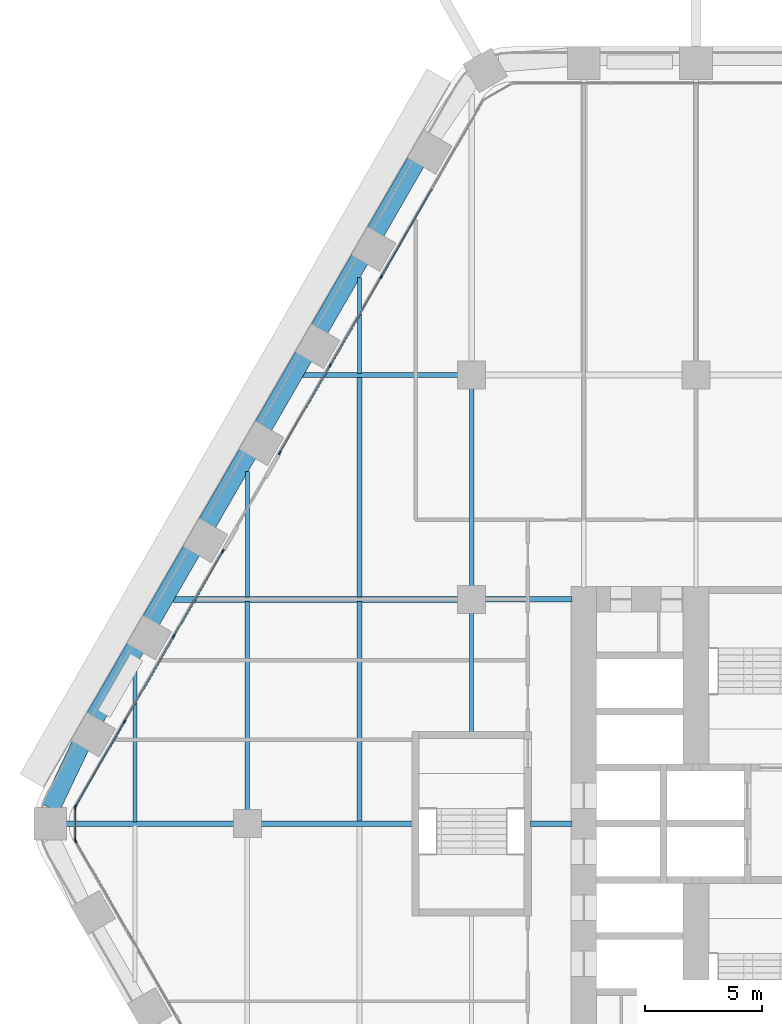
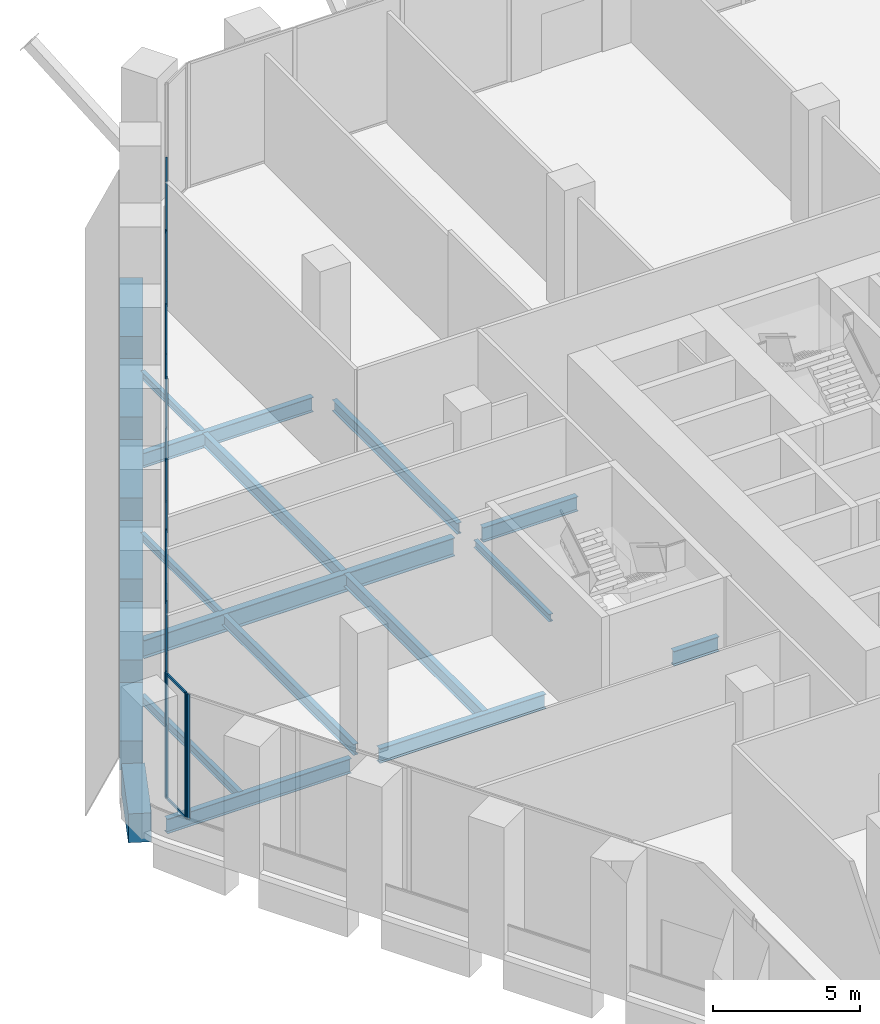
# One storey, part 7 of 29: 24 members, 21 beams, 4 elements without a shape of their own.
"""IFC4 building model written with IfcOpenShell, lengths in metres."""

from ifc_helpers import new_model, si_unit, direction, frame, origin, origin_2d, place, context, subcontext, project, spatial, rectangle, i_section, extrude, material, material_profile, profile_set, type_object, element, aggregate, save


model = new_model("IFC4")

# Units and contexts
model_context = context("Model", 3, precision=1e-05, world=origin(), true_north=direction((0.0, 1.0)))
body_context = subcontext(model_context, "Body", "Model", "MODEL_VIEW")
ifc_project = project(units=[si_unit("LENGTHUNIT", "METRE"), si_unit("AREAUNIT", "SQUARE_METRE"), si_unit("VOLUMEUNIT", "CUBIC_METRE"), si_unit("PLANEANGLEUNIT", "RADIAN"), si_unit("MASSUNIT", "GRAM", prefix="KILO")], contexts=[model_context])

# Site, building, storey
site_placement = place(None, origin())
site = spatial("IfcSite", under=ifc_project, at=site_placement, CompositionType="ELEMENT")
building_placement = place(site_placement, origin())
building = spatial("IfcBuilding", under=site, at=building_placement, Name="Kolab Exchange Tower", CompositionType="ELEMENT")
storey_placement = place(building_placement, frame((0.0, 0.0, 33.39990234375)))
storey = spatial("IfcBuildingStorey", under=building, at=storey_placement, Name="L06", CompositionType="ELEMENT", Elevation=33.39990234375)

# Beams
ifc_material_1 = material(Name="Steel S355", Category="steel")
ifc_material_profile_1 = material_profile(ifc_material_1, i_section(OverallWidth=0.1650390625, OverallDepth=0.31005859375, WebThickness=0.005859375, FlangeThickness=0.009765625, at=origin_2d()), Name="W310X39")
ifc_profile_set_1 = profile_set([ifc_material_profile_1], Name="Steel S355")
beam_type_1 = type_object("IfcBeamType", Name="FLOOR BEAM W310X39", PredefinedType="BEAM", material=ifc_profile_set_1)
beam_1_placement = place(storey_placement, frame((-28.800048828125, 9.693603515625, -0.40478515625), z_axis=(0.0, 1.0, 0.0), x_axis=(-1.0, 0.0, 0.0)))
element("IfcBeam", 1, at=beam_1_placement, inside=storey, type_object=beam_type_1, Name="beam/L06/fr/005", PredefinedType="BEAM", context=body_context, shape_type="SweptSolid", body=[
    extrude(i_section(OverallWidth=0.1650390625, OverallDepth=0.31005859375, WebThickness=0.005859375, FlangeThickness=0.009765625, at=origin_2d()), origin(), (0.0, 0.0, 1.0), 5.3740234375),
])
beam_2_placement = place(storey_placement, frame((-24.0, 19.27392578125, -0.40478515625), z_axis=(0.0, 1.0, 0.0), x_axis=(-1.0, 0.0, 0.0)))
element("IfcBeam", 2, at=beam_2_placement, inside=storey, type_object=beam_type_1, Name="beam/L06/fr/011", PredefinedType="BEAM", context=body_context, shape_type="SweptSolid", body=[
    extrude(i_section(OverallWidth=0.1650390625, OverallDepth=0.31005859375, WebThickness=0.005859375, FlangeThickness=0.009765625, at=origin_2d()), origin(), (0.0, 0.0, 1.0), 4.107666015625),
])
beam_3_placement = place(storey_placement, frame((-19.199951171875, 3.909912109375, -0.40478515625), z_axis=(0.0, 1.0, 0.0), x_axis=(-1.0, 0.0, 0.0)))
element("IfcBeam", 3, at=beam_3_placement, inside=storey, type_object=beam_type_1, Name="beam/L06/fr/015", PredefinedType="BEAM", context=body_context, shape_type="SweptSolid", body=[
    extrude(i_section(OverallWidth=0.1650390625, OverallDepth=0.31005859375, WebThickness=0.005859375, FlangeThickness=0.009765625, at=origin_2d()), origin(), (0.0, 0.0, 1.0), 5.130126953125),
])
ifc_material_profile_2 = material_profile(ifc_material_1, i_section(OverallWidth=0.1708984375, OverallDepth=0.35498046875, WebThickness=0.007080078125, FlangeThickness=0.01171875, at=origin_2d()), Name="W360X51")
ifc_profile_set_2 = profile_set([ifc_material_profile_2], Name="Steel S355")
beam_type_2 = type_object("IfcBeamType", Name="FLOOR BEAM W360X51", PredefinedType="BEAM", material=ifc_profile_set_2)
beam_4_placement = place(storey_placement, frame((-33.60009765625, 0.073974609375, -0.427490234375), z_axis=(0.0, 1.0, 0.0), x_axis=(-1.0, 0.0, 0.0)))
element("IfcBeam", 4, at=beam_4_placement, inside=storey, type_object=beam_type_2, Name="beam/L06/fr/001", PredefinedType="BEAM", context=body_context, shape_type="SweptSolid", body=[
    extrude(i_section(OverallWidth=0.1708984375, OverallDepth=0.35498046875, WebThickness=0.007080078125, FlangeThickness=0.01171875, at=origin_2d()), origin(), (0.0, 0.0, 1.0), 6.679931640625),
])
ifc_material_profile_3 = material_profile(ifc_material_1, i_section(OverallWidth=0.18994140625, OverallDepth=0.45703125, WebThickness=0.009033203125, FlangeThickness=0.014404296875, at=origin_2d()), Name="W460X74")
ifc_profile_set_3 = profile_set([ifc_material_profile_3], Name="Steel S355")
beam_type_3 = type_object("IfcBeamType", Name="FLOOR BEAM W460X74", PredefinedType="BEAM", material=ifc_profile_set_3)
beam_5_placement = place(storey_placement, frame((-28.800048828125, 0.56005859375, -0.478515625), z_axis=(0.0, 1.0, 0.0), x_axis=(-1.0, 0.0, 0.0)))
element("IfcBeam", 5, at=beam_5_placement, inside=storey, type_object=beam_type_3, Name="beam/L06/fr/004", PredefinedType="BEAM", context=body_context, shape_type="SweptSolid", body=[
    extrude(i_section(OverallWidth=0.18994140625, OverallDepth=0.45703125, WebThickness=0.009033203125, FlangeThickness=0.014404296875, at=origin_2d()), origin(), (0.0, 0.0, 1.0), 8.946533203125),
])
beam_6_placement = place(storey_placement, frame((-19.199951171875, 10.159912109375, -0.478515625), z_axis=(0.0, 1.0, 0.0), x_axis=(-1.0, 0.0, 0.0)))
element("IfcBeam", 6, at=beam_6_placement, inside=storey, type_object=beam_type_3, Name="beam/L06/fr/016", PredefinedType="BEAM", context=body_context, shape_type="SweptSolid", body=[
    extrude(i_section(OverallWidth=0.18994140625, OverallDepth=0.45703125, WebThickness=0.009033203125, FlangeThickness=0.014404296875, at=origin_2d()), origin(), (0.0, 0.0, 1.0), 8.47998046875),
])
ifc_material_profile_4 = material_profile(ifc_material_1, i_section(OverallWidth=0.208984375, OverallDepth=0.532958984375, WebThickness=0.01025390625, FlangeThickness=0.015625, at=origin_2d()), Name="W530X92")
ifc_profile_set_4 = profile_set([ifc_material_profile_4], Name="Steel S355")
beam_type_4 = type_object("IfcBeamType", Name="FLOOR BEAM W530X92", PredefinedType="BEAM", material=ifc_profile_set_4)
beam_7_placement = place(storey_placement, frame((-24.0, 0.073974609375, -0.516357421875), z_axis=(0.0, 1.0, 0.0), x_axis=(-1.0, 0.0, 0.0)))
element("IfcBeam", 7, at=beam_7_placement, inside=storey, type_object=beam_type_4, Name="beam/L06/fr/009", PredefinedType="BEAM", context=body_context, shape_type="SweptSolid", body=[
    extrude(i_section(OverallWidth=0.208984375, OverallDepth=0.532958984375, WebThickness=0.01025390625, FlangeThickness=0.015625, at=origin_2d()), origin(), (0.0, 0.0, 1.0), 9.4326171875),
])
beam_8_placement = place(storey_placement, frame((-24.0, 9.693603515625, -0.516357421875), z_axis=(0.0, 1.0, 0.0), x_axis=(-1.0, 0.0, 0.0)))
element("IfcBeam", 8, at=beam_8_placement, inside=storey, type_object=beam_type_4, Name="beam/L06/fr/010", PredefinedType="BEAM", context=body_context, shape_type="SweptSolid", body=[
    extrude(i_section(OverallWidth=0.208984375, OverallDepth=0.532958984375, WebThickness=0.01025390625, FlangeThickness=0.015625, at=origin_2d()), origin(), (0.0, 0.0, 1.0), 9.432373046875),
])
ifc_material_profile_5 = material_profile(ifc_material_1, i_section(OverallWidth=0.22802734375, OverallDepth=0.60791015625, WebThickness=0.01123046875, FlangeThickness=0.017333984375, at=origin_2d()), Name="W610X113")
ifc_profile_set_5 = profile_set([ifc_material_profile_5], Name="Steel S355")
beam_type_5 = type_object("IfcBeamType", Name="FLOOR GIRDER W610X113", PredefinedType="BEAM", material=ifc_profile_set_5)
beam_9_placement = place(storey_placement, frame((-36.575927734375, 0.0, -0.553955078125), z_axis=(1.0, 0.0, 0.0), x_axis=(0.0, 1.0, 0.0)))
element("IfcBeam", 9, at=beam_9_placement, inside=storey, type_object=beam_type_5, Name="beam/L06/gd/000", PredefinedType="BEAM", context=body_context, shape_type="SweptSolid", body=[
    extrude(i_section(OverallWidth=0.22802734375, OverallDepth=0.60791015625, WebThickness=0.01123046875, FlangeThickness=0.017333984375, at=origin_2d()), origin(), (0.0, 0.0, 1.0), 7.2158203125),
])
beam_10_placement = place(storey_placement, frame((-28.239990234375, 0.0, -0.553955078125), z_axis=(1.0, 0.0, 0.0), x_axis=(0.0, 1.0, 0.0)))
element("IfcBeam", 10, at=beam_10_placement, inside=storey, type_object=beam_type_5, Name="beam/L06/gd/003", PredefinedType="BEAM", context=body_context, shape_type="SweptSolid", body=[
    extrude(i_section(OverallWidth=0.22802734375, OverallDepth=0.60791015625, WebThickness=0.01123046875, FlangeThickness=0.017333984375, at=origin_2d()), origin(), (0.0, 0.0, 1.0), 6.530029296875),
])
beam_11_placement = place(storey_placement, frame((-26.43115234375, 19.199951171875, -0.553955078125), z_axis=(1.0, 0.0, 0.0), x_axis=(0.0, 1.0, 0.0)))
element("IfcBeam", 11, at=beam_11_placement, inside=storey, type_object=beam_type_5, Name="beam/L06/gd/005", PredefinedType="BEAM", context=body_context, shape_type="SweptSolid", body=[
    extrude(i_section(OverallWidth=0.22802734375, OverallDepth=0.60791015625, WebThickness=0.01123046875, FlangeThickness=0.017333984375, at=origin_2d()), origin(), (0.0, 0.0, 1.0), 6.671142578125),
])
beam_12_placement = place(storey_placement, frame((-18.639892578125, 9.60009765625, -0.553955078125), z_axis=(1.0, 0.0, 0.0), x_axis=(0.0, 1.0, 0.0)))
element("IfcBeam", 12, at=beam_12_placement, inside=storey, type_object=beam_type_5, Name="beam/L06/gd/008", PredefinedType="BEAM", context=body_context, shape_type="SweptSolid", body=[
    extrude(i_section(OverallWidth=0.22802734375, OverallDepth=0.60791015625, WebThickness=0.01123046875, FlangeThickness=0.017333984375, at=origin_2d()), origin(), (0.0, 0.0, 1.0), 3.72998046875),
])
beam_13_placement = place(storey_placement, frame((-16.68994140625, 0.0, -0.553955078125), z_axis=(1.0, 0.0, 0.0), x_axis=(0.0, 1.0, 0.0)))
element("IfcBeam", 13, at=beam_13_placement, inside=storey, type_object=beam_type_5, Name="beam/L06/gd/010", PredefinedType="BEAM", context=body_context, shape_type="SweptSolid", body=[
    extrude(i_section(OverallWidth=0.22802734375, OverallDepth=0.60791015625, WebThickness=0.01123046875, FlangeThickness=0.017333984375, at=origin_2d()), origin(), (0.0, 0.0, 1.0), 1.780029296875),
])
ifc_material_profile_6 = material_profile(ifc_material_1, i_section(OverallWidth=0.26708984375, OverallDepth=0.761962890625, WebThickness=0.014404296875, FlangeThickness=0.021484375, at=origin_2d()), Name="W760X173")
ifc_profile_set_6 = profile_set([ifc_material_profile_6], Name="Steel S355")
beam_type_6 = type_object("IfcBeamType", Name="FLOOR GIRDER W760X173", PredefinedType="BEAM", material=ifc_profile_set_6)
beam_14_placement = place(storey_placement, frame((-31.9736328125, 9.60009765625, -0.630859375), z_axis=(1.0, 0.0, 0.0), x_axis=(0.0, 1.0, 0.0)))
element("IfcBeam", 14, at=beam_14_placement, inside=storey, type_object=beam_type_6, Name="beam/L06/gd/002", PredefinedType="BEAM", context=body_context, shape_type="SweptSolid", body=[
    extrude(i_section(OverallWidth=0.26708984375, OverallDepth=0.761962890625, WebThickness=0.014404296875, FlangeThickness=0.021484375, at=origin_2d()), origin(), (0.0, 0.0, 1.0), 12.213623046875),
])
ifc_material_2 = material(Name="Concrete C80/95", Category="concrete")
ifc_material_profile_7 = material_profile(ifc_material_2, rectangle(XDim=0.800048828125, YDim=1.199951171875, at=origin_2d()), Name="RC800X1200")
ifc_profile_set_7 = profile_set([ifc_material_profile_7], Name="Concrete C80/95")
beam_type_7 = type_object("IfcBeamType", Name="SPANDREL BEAM 800X1200 C80/95", PredefinedType="BEAM", material=ifc_profile_set_7)
beam_15_placement = place(storey_placement, frame((-37.219970703125, 0.663818359375, -0.849853515625), z_axis=(0.429555669245, 0.903040379507, 0.0), x_axis=(-0.903040379507, 0.429555669245, 0.0)))
element("IfcBeam", 15, at=beam_15_placement, inside=storey, type_object=beam_type_7, Name="beam/L06/sp/F6-01", PredefinedType="BEAM", context=body_context, shape_type="SweptSolid", body=[
    extrude(rectangle(XDim=0.800048828125, YDim=1.199951171875, at=origin_2d()), origin(), (0.0, 0.0, 1.0), 2.984375),
])
beam_16_placement = place(storey_placement, frame((-35.323486328125, 4.528564453125, -0.849853515625), z_axis=(0.500009906705, 0.86601968407, 0.0), x_axis=(-0.86601968407, 0.500009906705, 0.0)))
element("IfcBeam", 16, at=beam_16_placement, inside=storey, type_object=beam_type_7, Name="beam/L06/sp/F6-02", PredefinedType="BEAM", context=body_context, shape_type="SweptSolid", body=[
    extrude(rectangle(XDim=0.800048828125, YDim=1.199951171875, at=origin_2d()), origin(), (0.0, 0.0, 1.0), 3.47998046875),
])
for number, where, z_axis, x_axis, name in (
    (17, (-32.923583984375, 8.685302734375, -0.849853515625), (0.499979528911, 0.866037222451, 0.0), (-0.866037222451, 0.499979528911, 0.0), "beam/L06/sp/F6-03"),
    (18, (-30.523681640625, 12.84228515625, -0.849853515625), (0.499979528911, 0.866037222451, 0.0), (-0.866037222451, 0.499979528911, 0.0), "beam/L06/sp/F6-04"),
):
    element("IfcBeam", number, at=place(storey_placement, frame(where, z_axis=z_axis, x_axis=x_axis)), inside=storey, type_object=beam_type_7, Name=name, PredefinedType="BEAM", context=body_context, shape_type="SweptSolid", body=[
        extrude(rectangle(XDim=0.800048828125, YDim=1.199951171875, at=origin_2d()), origin(), (0.0, 0.0, 1.0), 3.480224609375),
    ])
for number, where, z_axis, x_axis, name in (
    (19, (-28.12353515625, 16.999267578125, -0.849853515625), (0.500009906705, 0.86601968407, 0.0), (-0.86601968407, 0.500009906705, 0.0), "beam/L06/sp/F6-05"),
    (20, (-25.7236328125, 21.15625, -0.849853515625), (0.500009906705, 0.86601968407, 0.0), (-0.86601968407, 0.500009906705, 0.0), "beam/L06/sp/F6-06"),
):
    element("IfcBeam", number, at=place(storey_placement, frame(where, z_axis=z_axis, x_axis=x_axis)), inside=storey, type_object=beam_type_7, Name=name, PredefinedType="BEAM", context=body_context, shape_type="SweptSolid", body=[
        extrude(rectangle(XDim=0.800048828125, YDim=1.199951171875, at=origin_2d()), origin(), (0.0, 0.0, 1.0), 3.47998046875),
    ])
beam_17_placement = place(storey_placement, frame((-23.323486328125, 25.31298828125, -0.849853515625), z_axis=(0.499979528911, 0.866037222451, 0.0), x_axis=(-0.866037222451, 0.499979528911, 0.0)))
element("IfcBeam", 21, at=beam_17_placement, inside=storey, type_object=beam_type_7, Name="beam/L06/sp/F6-07", PredefinedType="BEAM", context=body_context, shape_type="SweptSolid", body=[
    extrude(rectangle(XDim=0.800048828125, YDim=1.199951171875, at=origin_2d()), origin(), (0.0, 0.0, 1.0), 3.480224609375),
])

# Curtain wall, member
ifc_material_3 = material(Name="Aluminium EN AW-6063 T6", Category="aluminium")
curtain_wall_type = type_object("IfcCurtainWallType", Name="UNITISED LOW ZONE CURTAIN WALL", PredefinedType="NOTDEFINED", material=ifc_material_3)
curtain_wall_1_placement = place(storey_placement, origin())
curtain_wall_1 = element("IfcCurtainWall", 22, at=curtain_wall_1_placement, inside=storey, type_object=curtain_wall_type, Name="cw/L06/F5-2", PredefinedType="NOTDEFINED")
ifc_material_profile_8 = material_profile(ifc_material_3, rectangle(XDim=0.06005859375, YDim=0.159912109375, at=origin_2d()), Name="RECT 60X160")
ifc_profile_set_8 = profile_set([ifc_material_profile_8], Name="Aluminium EN AW-6063 T6")
member_type_1 = type_object("IfcMemberType", Name="UNITISED LOW ZONE MULLION 60 X 160", PredefinedType="MULLION", material=ifc_profile_set_8)
member_1_placement = place(storey_placement, frame((-36.150634765625, -0.736083984375, 0.0), z_axis=(0.0, 0.0, 1.0), x_axis=(-0.866025422102, -0.499999968274, 0.0)))
member_1 = element("IfcMember", 23, at=member_1_placement, type_object=member_type_1, Name="CW1 mullion 5", PredefinedType="MULLION", context=body_context, shape_type="SweptSolid", body=[
    extrude(rectangle(XDim=0.06005859375, YDim=0.159912109375, at=origin_2d()), origin(), (0.0, 0.0, 1.0), 5.2001953125),
])
aggregate(curtain_wall_1, [member_1])

# Curtain wall, members
curtain_wall_2_placement = place(storey_placement, origin())
curtain_wall_2 = element("IfcCurtainWall", 24, at=curtain_wall_2_placement, inside=storey, type_object=curtain_wall_type, Name="cw/L06/F6-1", PredefinedType="NOTDEFINED")
member_2_placement = place(storey_placement, frame((-36.150634765625, 0.736083984375, 0.0), z_axis=(0.0, 0.0, 1.0), x_axis=(-0.866025427826, 0.499999958358, 0.0)))
member_2 = element("IfcMember", 25, at=member_2_placement, type_object=member_type_1, Name="CW1 mullion 1", PredefinedType="MULLION", context=body_context, shape_type="SweptSolid", body=[
    extrude(rectangle(XDim=0.06005859375, YDim=0.159912109375, at=origin_2d()), origin(), (0.0, 0.0, 1.0), 5.2001953125),
])
member_3_placement = place(storey_placement, frame((-34.054443359375, 4.366943359375, 0.0), z_axis=(0.0, 0.0, 1.0), x_axis=(-0.866025427826, 0.499999958358, 0.0)))
member_3 = element("IfcMember", 26, at=member_3_placement, type_object=member_type_1, Name="CW1 mullion 2", PredefinedType="MULLION", context=body_context, shape_type="SweptSolid", body=[
    extrude(rectangle(XDim=0.06005859375, YDim=0.159912109375, at=origin_2d()), origin(), (0.0, 0.0, 1.0), 5.2001953125),
])
member_4_placement = place(storey_placement, frame((-31.943115234375, 8.02392578125, 0.0), z_axis=(0.0, 0.0, 1.0), x_axis=(-0.866025427826, 0.499999958358, 0.0)))
member_4 = element("IfcMember", 27, at=member_4_placement, type_object=member_type_1, Name="CW1 mullion 3", PredefinedType="MULLION", context=body_context, shape_type="SweptSolid", body=[
    extrude(rectangle(XDim=0.06005859375, YDim=0.159912109375, at=origin_2d()), origin(), (0.0, 0.0, 1.0), 5.2001953125),
])
member_5_placement = place(storey_placement, frame((-29.8466796875, 11.65478515625, 0.0), z_axis=(0.0, 0.0, 1.0), x_axis=(-0.866025427826, 0.499999958358, 0.0)))
member_5 = element("IfcMember", 28, at=member_5_placement, type_object=member_type_1, Name="CW1 mullion 4", PredefinedType="MULLION", context=body_context, shape_type="SweptSolid", body=[
    extrude(rectangle(XDim=0.06005859375, YDim=0.159912109375, at=origin_2d()), origin(), (0.0, 0.0, 1.0), 5.2001953125),
])

curtain_wall_3_placement = place(storey_placement, origin())
curtain_wall_3 = element("IfcCurtainWall", 29, at=curtain_wall_3_placement, inside=storey, type_object=curtain_wall_type, Name="cw/L06/F6-2", PredefinedType="NOTDEFINED")
member_6_placement = place(storey_placement, frame((-27.416748046875, 15.86376953125, 0.0), z_axis=(0.0, 0.0, 1.0), x_axis=(-0.866025397318, 0.5000000112, 0.0)))
member_6 = element("IfcMember", 30, at=member_6_placement, type_object=member_type_1, Name="CW1 mullion 1", PredefinedType="MULLION", context=body_context, shape_type="SweptSolid", body=[
    extrude(rectangle(XDim=0.06005859375, YDim=0.159912109375, at=origin_2d()), origin(), (0.0, 0.0, 1.0), 5.2001953125),
])
member_7_placement = place(storey_placement, frame((-25.248291015625, 19.61962890625, 0.0), z_axis=(0.0, 0.0, 1.0), x_axis=(-0.866025397318, 0.5000000112, 0.0)))
member_7 = element("IfcMember", 31, at=member_7_placement, type_object=member_type_1, Name="CW1 mullion 2", PredefinedType="MULLION", context=body_context, shape_type="SweptSolid", body=[
    extrude(rectangle(XDim=0.06005859375, YDim=0.159912109375, at=origin_2d()), origin(), (0.0, 0.0, 1.0), 5.2001953125),
])
member_8_placement = place(storey_placement, frame((-23.064697265625, 23.401611328125, 0.0), z_axis=(0.0, 0.0, 1.0), x_axis=(-0.866025397318, 0.5000000112, 0.0)))
member_8 = element("IfcMember", 32, at=member_8_placement, type_object=member_type_1, Name="CW1 mullion 3", PredefinedType="MULLION", context=body_context, shape_type="SweptSolid", body=[
    extrude(rectangle(XDim=0.06005859375, YDim=0.159912109375, at=origin_2d()), origin(), (0.0, 0.0, 1.0), 5.2001953125),
])

curtain_wall_4_placement = place(storey_placement, origin())
curtain_wall_4 = element("IfcCurtainWall", 33, at=curtain_wall_4_placement, inside=storey, type_object=curtain_wall_type, Name="cw/L06/F5F6-corner", PredefinedType="NOTDEFINED")
member_9_placement = place(storey_placement, frame((-36.165771484375, -0.679931640625, 0.0), z_axis=(0.0, 0.0, 1.0), x_axis=(-1.0, 0.0, 0.0)))
member_9 = element("IfcMember", 34, at=member_9_placement, type_object=member_type_1, Name="CW1 mullion 1", PredefinedType="MULLION", context=body_context, shape_type="SweptSolid", body=[
    extrude(rectangle(XDim=0.06005859375, YDim=0.159912109375, at=origin_2d()), origin(), (0.0, 0.0, 1.0), 5.2001953125),
])
member_10_placement = place(storey_placement, frame((-36.165771484375, 0.679931640625, 0.0), z_axis=(0.0, 0.0, 1.0), x_axis=(-1.0, 0.0, 0.0)))
member_10 = element("IfcMember", 35, at=member_10_placement, type_object=member_type_1, Name="CW1 mullion 2", PredefinedType="MULLION", context=body_context, shape_type="SweptSolid", body=[
    extrude(rectangle(XDim=0.06005859375, YDim=0.159912109375, at=origin_2d()), origin(), (0.0, 0.0, 1.0), 5.2001953125),
])

# Member
ifc_material_profile_9 = material_profile(ifc_material_3, rectangle(XDim=0.06005859375, YDim=0.10009765625, at=origin_2d()), Name="RECT 60X100")
ifc_profile_set_9 = profile_set([ifc_material_profile_9], Name="Aluminium EN AW-6063 T6")
member_type_2 = type_object("IfcMemberType", Name="UNITISED LOW ZONE TRANSOM 60 X 100", PredefinedType="USERDEFINED", material=ifc_profile_set_9)
member_11_placement = place(storey_placement, frame((-36.1357421875, 0.761962890625, 0.030029296875), z_axis=(0.500027577057, 0.866009481578, 0.0), x_axis=(-0.866009481578, 0.500027577057, 0.0)))
member_11 = element("IfcMember", 36, at=member_11_placement, type_object=member_type_2, Name="CW1 transom 1.1", ObjectType="TRANSOM", PredefinedType="USERDEFINED", context=body_context, shape_type="SweptSolid", body=[
    extrude(rectangle(XDim=0.06005859375, YDim=0.10009765625, at=origin_2d()), origin(), (0.0, 0.0, 1.0), 4.132568359375),
])

member_12_placement = place(storey_placement, frame((-36.1357421875, 0.761962890625, 5.170166015625), z_axis=(0.500027577057, 0.866009481578, 0.0), x_axis=(-0.866009481578, 0.500027577057, 0.0)))
member_12 = element("IfcMember", 37, at=member_12_placement, type_object=member_type_2, Name="CW1 transom 1.2", ObjectType="TRANSOM", PredefinedType="USERDEFINED", context=body_context, shape_type="SweptSolid", body=[
    extrude(rectangle(XDim=0.06005859375, YDim=0.10009765625, at=origin_2d()), origin(), (0.0, 0.0, 1.0), 4.132568359375),
])

member_13_placement = place(storey_placement, frame((-34.039306640625, 4.392822265625, 0.030029296875), z_axis=(0.49999322259, 0.866029316688, 0.0), x_axis=(-0.866029316688, 0.49999322259, 0.0)))
member_13 = element("IfcMember", 38, at=member_13_placement, type_object=member_type_2, Name="CW1 transom 2.1", ObjectType="TRANSOM", PredefinedType="USERDEFINED", context=body_context, shape_type="SweptSolid", body=[
    extrude(rectangle(XDim=0.06005859375, YDim=0.10009765625, at=origin_2d()), origin(), (0.0, 0.0, 1.0), 4.16259765625),
])

member_14_placement = place(storey_placement, frame((-34.039306640625, 4.392822265625, 5.170166015625), z_axis=(0.49999322259, 0.866029316688, 0.0), x_axis=(-0.866029316688, 0.49999322259, 0.0)))
member_14 = element("IfcMember", 39, at=member_14_placement, type_object=member_type_2, Name="CW1 transom 2.2", ObjectType="TRANSOM", PredefinedType="USERDEFINED", context=body_context, shape_type="SweptSolid", body=[
    extrude(rectangle(XDim=0.06005859375, YDim=0.10009765625, at=origin_2d()), origin(), (0.0, 0.0, 1.0), 4.16259765625),
])

member_15_placement = place(storey_placement, frame((-31.927978515625, 8.0498046875, 0.030029296875), z_axis=(0.500001996123, 0.866024251319, 0.0), x_axis=(-0.866024251319, 0.500001996123, 0.0)))
member_15 = element("IfcMember", 40, at=member_15_placement, type_object=member_type_2, Name="CW1 transom 3.1", ObjectType="TRANSOM", PredefinedType="USERDEFINED", context=body_context, shape_type="SweptSolid", body=[
    extrude(rectangle(XDim=0.06005859375, YDim=0.10009765625, at=origin_2d()), origin(), (0.0, 0.0, 1.0), 4.1328125),
])

member_16_placement = place(storey_placement, frame((-31.927978515625, 8.0498046875, 5.170166015625), z_axis=(0.500001996123, 0.866024251319, 0.0), x_axis=(-0.866024251319, 0.500001996123, 0.0)))
member_16 = element("IfcMember", 41, at=member_16_placement, type_object=member_type_2, Name="CW1 transom 3.2", ObjectType="TRANSOM", PredefinedType="USERDEFINED", context=body_context, shape_type="SweptSolid", body=[
    extrude(rectangle(XDim=0.06005859375, YDim=0.10009765625, at=origin_2d()), origin(), (0.0, 0.0, 1.0), 4.1328125),
])

aggregate(curtain_wall_2, [member_2, member_3, member_4, member_5, member_11, member_12, member_13, member_14, member_15, member_16])

member_17_placement = place(storey_placement, frame((-27.401611328125, 15.8896484375, 0.030029296875), z_axis=(0.499976099074, 0.866039202551, 0.0), x_axis=(-0.866039202551, 0.499976099074, 0.0)))
member_17 = element("IfcMember", 42, at=member_17_placement, type_object=member_type_2, Name="CW1 transom 1.1", ObjectType="TRANSOM", PredefinedType="USERDEFINED", context=body_context, shape_type="SweptSolid", body=[
    extrude(rectangle(XDim=0.06005859375, YDim=0.10009765625, at=origin_2d()), origin(), (0.0, 0.0, 1.0), 4.277099609375),
])

member_18_placement = place(storey_placement, frame((-27.401611328125, 15.8896484375, 5.170166015625), z_axis=(0.499976099074, 0.866039202551, 0.0), x_axis=(-0.866039202551, 0.499976099074, 0.0)))
member_18 = element("IfcMember", 43, at=member_18_placement, type_object=member_type_2, Name="CW1 transom 1.2", ObjectType="TRANSOM", PredefinedType="USERDEFINED", context=body_context, shape_type="SweptSolid", body=[
    extrude(rectangle(XDim=0.06005859375, YDim=0.10009765625, at=origin_2d()), origin(), (0.0, 0.0, 1.0), 4.277099609375),
])

member_19_placement = place(storey_placement, frame((-25.233154296875, 19.6455078125, 0.030029296875), z_axis=(0.500010313095, 0.866019449435, 0.0), x_axis=(-0.866019449435, 0.500010313095, 0.0)))
member_19 = element("IfcMember", 44, at=member_19_placement, type_object=member_type_2, Name="CW1 transom 2.1", ObjectType="TRANSOM", PredefinedType="USERDEFINED", context=body_context, shape_type="SweptSolid", body=[
    extrude(rectangle(XDim=0.06005859375, YDim=0.10009765625, at=origin_2d()), origin(), (0.0, 0.0, 1.0), 4.30712890625),
])

member_20_placement = place(storey_placement, frame((-25.233154296875, 19.6455078125, 5.170166015625), z_axis=(0.500010313095, 0.866019449435, 0.0), x_axis=(-0.866019449435, 0.500010313095, 0.0)))
member_20 = element("IfcMember", 45, at=member_20_placement, type_object=member_type_2, Name="CW1 transom 2.2", ObjectType="TRANSOM", PredefinedType="USERDEFINED", context=body_context, shape_type="SweptSolid", body=[
    extrude(rectangle(XDim=0.06005859375, YDim=0.10009765625, at=origin_2d()), origin(), (0.0, 0.0, 1.0), 4.30712890625),
])

member_21_placement = place(storey_placement, frame((-23.0498046875, 23.427490234375, 0.030029296875), z_axis=(0.500010313095, 0.866019449435, 0.0), x_axis=(-0.866019449435, 0.500010313095, 0.0)))
member_21 = element("IfcMember", 46, at=member_21_placement, type_object=member_type_2, Name="CW1 transom 3.1", ObjectType="TRANSOM", PredefinedType="USERDEFINED", context=body_context, shape_type="SweptSolid", body=[
    extrude(rectangle(XDim=0.06005859375, YDim=0.10009765625, at=origin_2d()), origin(), (0.0, 0.0, 1.0), 4.30712890625),
])

member_22_placement = place(storey_placement, frame((-23.0498046875, 23.427490234375, 5.170166015625), z_axis=(0.500010313095, 0.866019449435, 0.0), x_axis=(-0.866019449435, 0.500010313095, 0.0)))
member_22 = element("IfcMember", 47, at=member_22_placement, type_object=member_type_2, Name="CW1 transom 3.2", ObjectType="TRANSOM", PredefinedType="USERDEFINED", context=body_context, shape_type="SweptSolid", body=[
    extrude(rectangle(XDim=0.06005859375, YDim=0.10009765625, at=origin_2d()), origin(), (0.0, 0.0, 1.0), 4.30712890625),
])

aggregate(curtain_wall_3, [member_6, member_7, member_8, member_17, member_18, member_19, member_20, member_21, member_22])

member_23_placement = place(storey_placement, frame((-36.165771484375, -0.64990234375, 0.030029296875), z_axis=(0.0, 1.0, 0.0), x_axis=(-1.0, 0.0, 0.0)))
member_23 = element("IfcMember", 48, at=member_23_placement, type_object=member_type_2, Name="CW1 transom 1.1", ObjectType="TRANSOM", PredefinedType="USERDEFINED", context=body_context, shape_type="SweptSolid", body=[
    extrude(rectangle(XDim=0.06005859375, YDim=0.10009765625, at=origin_2d()), origin(), (0.0, 0.0, 1.0), 1.2998046875),
])

member_24_placement = place(storey_placement, frame((-36.165771484375, -0.64990234375, 5.170166015625), z_axis=(0.0, 1.0, 0.0), x_axis=(-1.0, 0.0, 0.0)))
member_24 = element("IfcMember", 49, at=member_24_placement, type_object=member_type_2, Name="CW1 transom 1.2", ObjectType="TRANSOM", PredefinedType="USERDEFINED", context=body_context, shape_type="SweptSolid", body=[
    extrude(rectangle(XDim=0.06005859375, YDim=0.10009765625, at=origin_2d()), origin(), (0.0, 0.0, 1.0), 1.2998046875),
])

aggregate(curtain_wall_4, [member_9, member_10, member_23, member_24])

save(model, "model.ifc")
